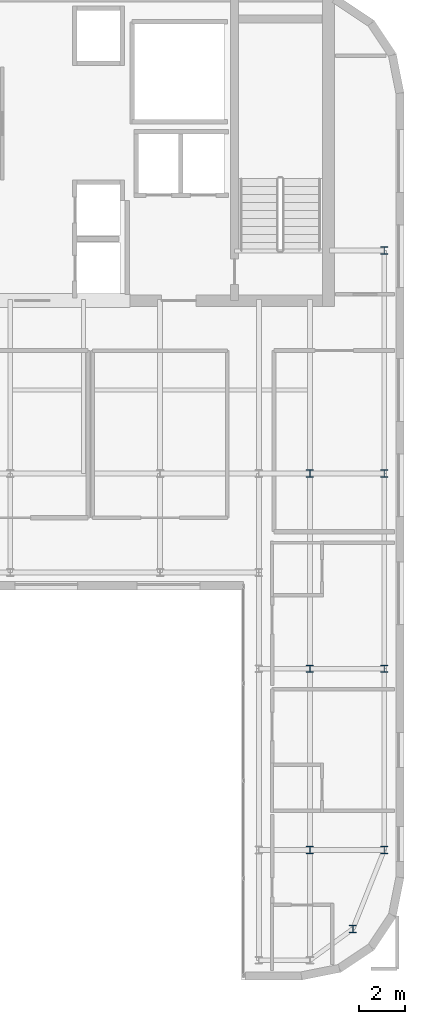
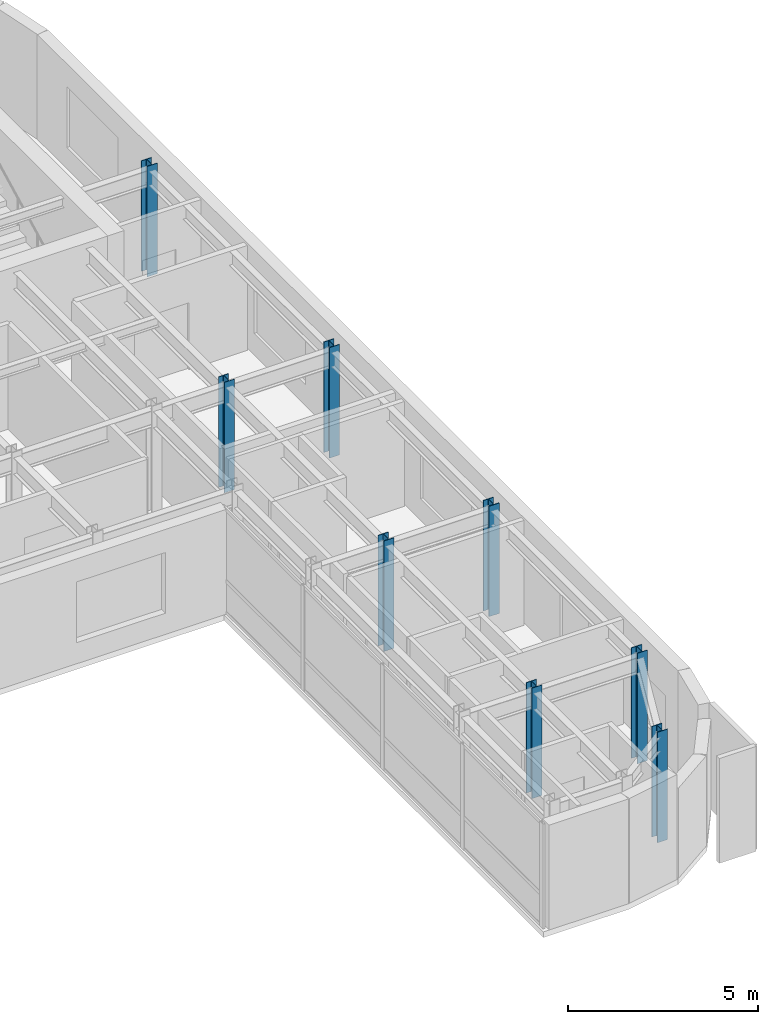
# One storey, part 2 of 18: 8 columns.
"""IFC4 building model written with IfcOpenShell, lengths in metres."""

from ifc_helpers import new_model, si_unit, direction, frame, origin, origin_2d, place, context, subcontext, project, spatial, i_section, extrude, source, transform, mapped, material, material_profile, profile_set, type_object, type_shapes, element, save


model = new_model("IFC4")

# Units and contexts
model_context = context("Model", 3, precision=1e-05, world=origin(), true_north=direction((0.0, 1.0)))
body_context = subcontext(model_context, "Body", "Model", "MODEL_VIEW")
ifc_project = project(units=[si_unit("LENGTHUNIT", "METRE"), si_unit("AREAUNIT", "SQUARE_METRE"), si_unit("VOLUMEUNIT", "CUBIC_METRE"), si_unit("PLANEANGLEUNIT", "RADIAN"), si_unit("MASSUNIT", "GRAM", prefix="KILO")], contexts=[model_context])

# Site, building, storey
site_placement = place(None, origin())
site = spatial("IfcSite", under=ifc_project, at=site_placement, CompositionType="ELEMENT")
building_placement = place(site_placement, origin())
building = spatial("IfcBuilding", under=site, at=building_placement, Name="Tolvann Quenvar Hotel", CompositionType="ELEMENT")
storey_placement = place(building_placement, frame((0.0, 0.0, 252.300048828125)))
storey = spatial("IfcBuildingStorey", under=building, at=storey_placement, Name="L67", CompositionType="ELEMENT", Elevation=252.300048828125)

# Columns
ifc_material = material(Name="Steel Grade 350", Category="steel")
ifc_material_profile_1 = material_profile(ifc_material, i_section(OverallWidth=0.30908203125, OverallDepth=0.321044921875, WebThickness=0.013916015625, FlangeThickness=0.021728515625, FilletRadius=0.0166015625, at=origin_2d()), Name="310UC137")
ifc_profile_set_1 = profile_set([ifc_material_profile_1], Name="Steel Grade 350")
column_type_1 = type_object("IfcColumnType", Name="COL_310UC137", PredefinedType="COLUMN", material=ifc_profile_set_1)
shared_shape_1 = source(origin(), body_context, "Body", "SweptSolid", [
    extrude(i_section(OverallWidth=0.30908203125, OverallDepth=0.321044921875, WebThickness=0.013916015625, FlangeThickness=0.021728515625, FilletRadius=0.0166015625, at=origin_2d()), origin(), (0.0, 0.0, 1.0), 3.550048828125),
])
type_shapes(column_type_1, [shared_shape_1])
for number, where, z_axis, x_axis, name in (
    (1, (36.800048828125, 4.800048828125, 0.0), (0.0, 0.0, 1.0), (1.0, 0.0, 0.0), "Column G2 (L67)"),
    (2, (38.14990234375, 8.199951171875, 0.0), (0.0, 0.0, 1.0), (1.0, 0.0, 0.0), "Column G3 (L67)"),
    (3, (38.14990234375, 16.0, 0.0), (0.0, 0.0, 1.0), (1.0, 0.0, 0.0), "Column G4 (L67)"),
    (4, (38.14990234375, 24.39990234375, 0.0), (0.0, 0.0, 1.0), (1.0, 0.0, 0.0), "Column G5 (L67)"),
    (5, (38.14990234375, 34.0, 0.0), (0.0, 0.0, 1.0), (1.0, 0.0, 0.0), "Column GD6 (L67)"),
):
    element("IfcColumn", number, at=place(storey_placement, frame(where, z_axis=z_axis, x_axis=x_axis)), inside=storey, type_object=column_type_1, Name=name, PredefinedType="COLUMN", context=body_context, shape_type="MappedRepresentation", body=[
        mapped(shared_shape_1, transform((0.0, 0.0, 0.0), x_axis=(1.0, 0.0, 0.0), y_axis=(0.0, 1.0, 0.0), z_axis=(0.0, 0.0, 1.0), scale=1.0)),
    ])
ifc_material_profile_2 = material_profile(ifc_material, i_section(OverallWidth=0.306884765625, OverallDepth=0.31494140625, WebThickness=0.011962890625, FlangeThickness=0.018798828125, FilletRadius=0.0166015625, at=origin_2d()), Name="310UC118")
ifc_profile_set_2 = profile_set([ifc_material_profile_2], Name="Steel Grade 350")
column_type_2 = type_object("IfcColumnType", Name="COL_310UC118", PredefinedType="COLUMN", material=ifc_profile_set_2)
shared_shape_2 = source(origin(), body_context, "Body", "SweptSolid", [
    extrude(i_section(OverallWidth=0.306884765625, OverallDepth=0.31494140625, WebThickness=0.011962890625, FlangeThickness=0.018798828125, FilletRadius=0.0166015625, at=origin_2d()), origin(), (0.0, 0.0, 1.0), 3.550048828125),
])
type_shapes(column_type_2, [shared_shape_2])
for number, where, z_axis, x_axis, name in (
    (6, (34.949951171875, 8.199951171875, 0.0), (0.0, 0.0, 1.0), (1.0, 0.0, 0.0), "Column F3 (L67)"),
    (7, (34.949951171875, 16.0, 0.0), (0.0, 0.0, 1.0), (1.0, 0.0, 0.0), "Column F4 (L67)"),
    (8, (34.949951171875, 24.39990234375, 0.0), (0.0, 0.0, 1.0), (1.0, 0.0, 0.0), "Column F5 (L67)"),
):
    element("IfcColumn", number, at=place(storey_placement, frame(where, z_axis=z_axis, x_axis=x_axis)), inside=storey, type_object=column_type_2, Name=name, PredefinedType="COLUMN", context=body_context, shape_type="MappedRepresentation", body=[
        mapped(shared_shape_2, transform((0.0, 0.0, 0.0), x_axis=(1.0, 0.0, 0.0), y_axis=(0.0, 1.0, 0.0), z_axis=(0.0, 0.0, 1.0), scale=1.0)),
    ])

save(model, "model.ifc")
